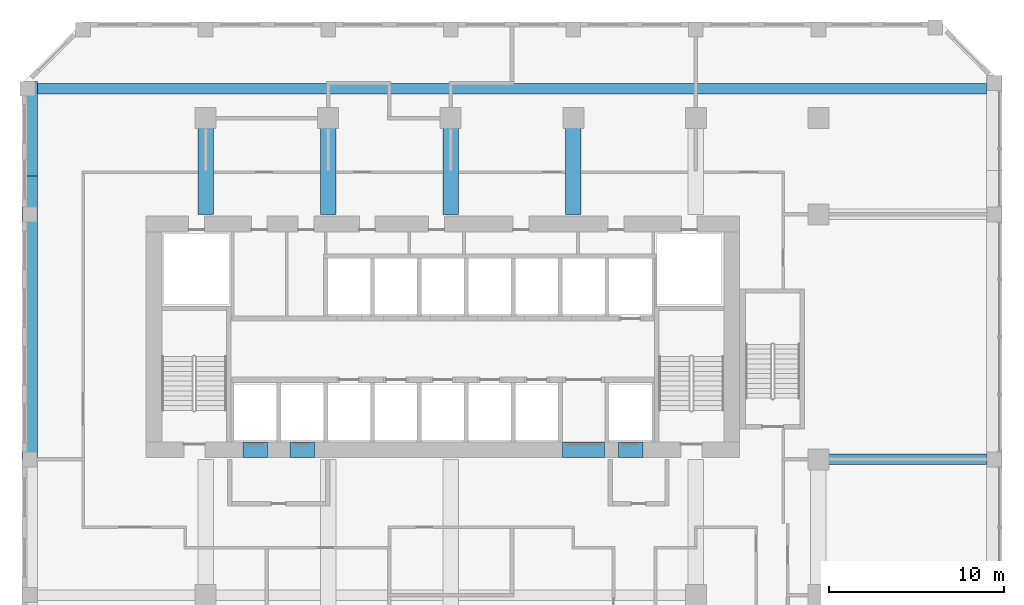
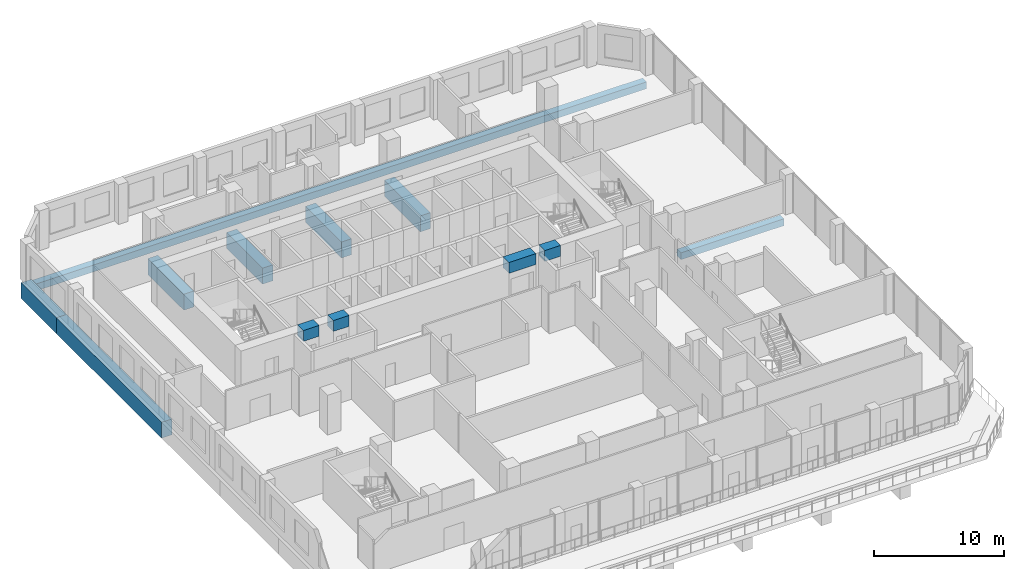
# One storey, part 6 of 17: 12 beams.
"""IFC4 building model written with IfcOpenShell, lengths in metres."""

from ifc_helpers import new_model, si_unit, direction, frame, origin, origin_2d, place, context, subcontext, project, spatial, rectangle, extrude, source, transform, mapped, material, material_profile, profile_set, type_object, element, save


model = new_model("IFC4")

# Units and contexts
model_context = context("Model", 3, precision=1e-05, world=origin(), true_north=direction((0.0, 1.0)))
body_context = subcontext(model_context, "Body", "Model", "MODEL_VIEW")
ifc_project = project(units=[si_unit("LENGTHUNIT", "METRE"), si_unit("AREAUNIT", "SQUARE_METRE"), si_unit("VOLUMEUNIT", "CUBIC_METRE"), si_unit("PLANEANGLEUNIT", "RADIAN"), si_unit("MASSUNIT", "GRAM", prefix="KILO")], contexts=[model_context])

# Site, building, storey
site_placement = place(None, origin())
site = spatial("IfcSite", under=ifc_project, at=site_placement, CompositionType="ELEMENT")
building_placement = place(site_placement, origin())
building = spatial("IfcBuilding", under=site, at=building_placement, Name="Kilnfold Tower and Market Hall", CompositionType="ELEMENT")
storey_placement = place(building_placement, frame((0.0, 0.0, 100.60009765625)))
storey = spatial("IfcBuildingStorey", under=building, at=storey_placement, Name="L23", CompositionType="ELEMENT", Elevation=100.60009765625)

# Beams
ifc_material_1 = material(Name="Concrete C45", Category="concrete")
ifc_material_profile_1 = material_profile(ifc_material_1, rectangle(XDim=0.60009765625, YDim=0.64990234375, at=origin_2d()), Name="RC 600x650")
ifc_profile_set_1 = profile_set([ifc_material_profile_1], Name="Concrete C45")
beam_type_1 = type_object("IfcBeamType", Name="BEAM 600X650 C45", PredefinedType="BEAM", material=ifc_profile_set_1)
shared_shape_1 = source(origin(), body_context, "Body", "SweptSolid", [
    extrude(rectangle(XDim=0.60009765625, YDim=0.64990234375, at=origin_2d()), origin(), (0.0, 0.0, 1.0), 54.2001953125),
])
beam_1_placement = place(storey_placement, frame((-22.10009765625, 29.179931640625, -0.72509765625), z_axis=(1.0, 0.0, 0.0), x_axis=(0.0, 1.0, 0.0)))
element("IfcBeam", 1, at=beam_1_placement, inside=storey, type_object=beam_type_1, Name="Beam BB650-B3.51", PredefinedType="BEAM", context=body_context, shape_type="MappedRepresentation", body=[
    mapped(shared_shape_1, transform((0.0, 0.0, 0.0))),
])
ifc_material_2 = material(Name="Concrete C70", Category="concrete")
ifc_material_profile_2 = material_profile(ifc_material_2, rectangle(XDim=0.89990234375, YDim=1.02001953125, at=origin_2d()), Name="RC 900x1020")
ifc_profile_set_2 = profile_set([ifc_material_profile_2], Name="Concrete C70")
beam_type_2 = type_object("IfcBeamType", Name="COUPLING BEAM 900X1020 C70", PredefinedType="BEAM", material=ifc_profile_set_2)
shared_shape_2 = source(origin(), body_context, "Body", "SweptSolid", [
    extrude(rectangle(XDim=0.89990234375, YDim=1.02001953125, at=origin_2d()), origin(), (0.0, 0.0, 1.0), 1.400146484375),
])
beam_2_placement = place(storey_placement, frame((-10.3701171875, 8.550048828125, 3.2099609375), z_axis=(1.0, 0.0, 0.0), x_axis=(0.0, 1.0, 0.0)))
element("IfcBeam", 2, at=beam_2_placement, inside=storey, type_object=beam_type_2, Name="Coupling beam CB1020-70-CORE.40", PredefinedType="BEAM", context=body_context, shape_type="MappedRepresentation", body=[
    mapped(shared_shape_2, transform((0.0, 0.0, 0.0))),
])
shared_shape_3 = source(origin(), body_context, "Body", "SweptSolid", [
    extrude(rectangle(XDim=0.89990234375, YDim=1.02001953125, at=origin_2d()), origin(), (0.0, 0.0, 1.0), 1.39990234375),
])
for number, where, z_axis, x_axis, name in (
    (3, (-7.68994140625, 8.550048828125, 3.2099609375), (1.0, 0.0, 0.0), (0.0, 1.0, 0.0), "Coupling beam CB1020-70-CORE.41"),
    (4, (11.070068359375, 8.550048828125, 3.2099609375), (1.0, 0.0, 0.0), (0.0, 1.0, 0.0), "Coupling beam CB1020-70-CORE.43"),
):
    element("IfcBeam", number, at=place(storey_placement, frame(where, z_axis=z_axis, x_axis=x_axis)), inside=storey, type_object=beam_type_2, Name=name, PredefinedType="BEAM", context=body_context, shape_type="MappedRepresentation", body=[
        mapped(shared_shape_3, transform((0.0, 0.0, 0.0))),
    ])
shared_shape_4 = source(origin(), body_context, "Body", "SweptSolid", [
    extrude(rectangle(XDim=0.89990234375, YDim=1.02001953125, at=origin_2d()), origin(), (0.0, 0.0, 1.0), 2.400146484375),
])
beam_3_placement = place(storey_placement, frame((7.889892578125, 8.550048828125, 3.2099609375), z_axis=(1.0, 0.0, 0.0), x_axis=(0.0, 1.0, 0.0)))
element("IfcBeam", 5, at=beam_3_placement, inside=storey, type_object=beam_type_2, Name="Coupling beam CB1020-70-CORE.42", PredefinedType="BEAM", context=body_context, shape_type="MappedRepresentation", body=[
    mapped(shared_shape_4, transform((0.0, 0.0, 0.0))),
])
ifc_material_3 = material(Name="Concrete C60", Category="concrete")
ifc_material_profile_3 = material_profile(ifc_material_3, rectangle(XDim=0.89990234375, YDim=1.5, at=origin_2d()), Name="RC 900x1500")
ifc_profile_set_3 = profile_set([ifc_material_profile_3], Name="Concrete C60")
beam_type_3 = type_object("IfcBeamType", Name="TRANSFER GIRDER 900X1500 C60", PredefinedType="BEAM", material=ifc_profile_set_3)
shared_shape_5 = source(origin(), body_context, "Body", "SweptSolid", [
    extrude(rectangle(XDim=0.89990234375, YDim=1.5, at=origin_2d()), origin(), (0.0, 0.0, 1.0), 16.181884765625),
])
beam_4_placement = place(storey_placement, frame((-22.550048828125, 8.0, -1.150146484375), z_axis=(0.0, 1.0, 0.0), x_axis=(-1.0, 0.0, 0.0)))
element("IfcBeam", 6, at=beam_4_placement, inside=storey, type_object=beam_type_3, Name="Beam TG1500-B3.5", PredefinedType="BEAM", context=body_context, shape_type="MappedRepresentation", body=[
    mapped(shared_shape_5, transform((0.0, 0.0, 0.0))),
])
shared_shape_6 = source(origin(), body_context, "Body", "SweptSolid", [
    extrude(rectangle(XDim=0.89990234375, YDim=1.5, at=origin_2d()), origin(), (0.0, 0.0, 1.0), 5.4248046875),
])
beam_5_placement = place(storey_placement, frame((-22.550048828125, 24.181884765625, -1.150146484375), z_axis=(0.0, 1.0, 0.0), x_axis=(-1.0, 0.0, 0.0)))
element("IfcBeam", 7, at=beam_5_placement, inside=storey, type_object=beam_type_3, Name="Beam TG1500-B3.6", PredefinedType="BEAM", context=body_context, shape_type="MappedRepresentation", body=[
    mapped(shared_shape_6, transform((0.0, 0.0, 0.0))),
])
shared_shape_7 = source(origin(), body_context, "Body", "SweptSolid", [
    extrude(rectangle(XDim=0.89990234375, YDim=1.5, at=origin_2d()), origin(), (0.0, 0.0, 1.0), 5.550048828125),
])
for number, where, z_axis, x_axis, name in (
    (8, (-12.5, 22.0, -1.150146484375), (0.0, 1.0, 0.0), (-1.0, 0.0, 0.0), "Beam TG1500-B3.11"),
    (9, (-5.5, 22.0, -1.150146484375), (0.0, 1.0, 0.0), (-1.0, 0.0, 0.0), "Beam TG1500-B3.15"),
    (10, (1.5, 22.0, -1.150146484375), (0.0, 1.0, 0.0), (-1.0, 0.0, 0.0), "Beam TG1500-B3.19"),
    (11, (8.5, 22.0, -1.150146484375), (0.0, 1.0, 0.0), (-1.0, 0.0, 0.0), "Beam TG1500-B3.22"),
):
    element("IfcBeam", number, at=place(storey_placement, frame(where, z_axis=z_axis, x_axis=x_axis)), inside=storey, type_object=beam_type_3, Name=name, PredefinedType="BEAM", context=body_context, shape_type="MappedRepresentation", body=[
        mapped(shared_shape_7, transform((0.0, 0.0, 0.0))),
    ])
shared_shape_8 = source(origin(), body_context, "Body", "SweptSolid", [
    extrude(rectangle(XDim=0.60009765625, YDim=0.64990234375, at=origin_2d()), origin(), (0.0, 0.0, 1.0), 9.150146484375),
])
beam_6_placement = place(storey_placement, frame((22.949951171875, 8.0, -0.72509765625), z_axis=(1.0, 0.0, 0.0), x_axis=(0.0, 1.0, 0.0)))
element("IfcBeam", 12, at=beam_6_placement, inside=storey, type_object=beam_type_1, Name="Beam BB650-B3.49", PredefinedType="BEAM", context=body_context, shape_type="MappedRepresentation", body=[
    mapped(shared_shape_8, transform((0.0, 0.0, 0.0))),
])

save(model, "model.ifc")
